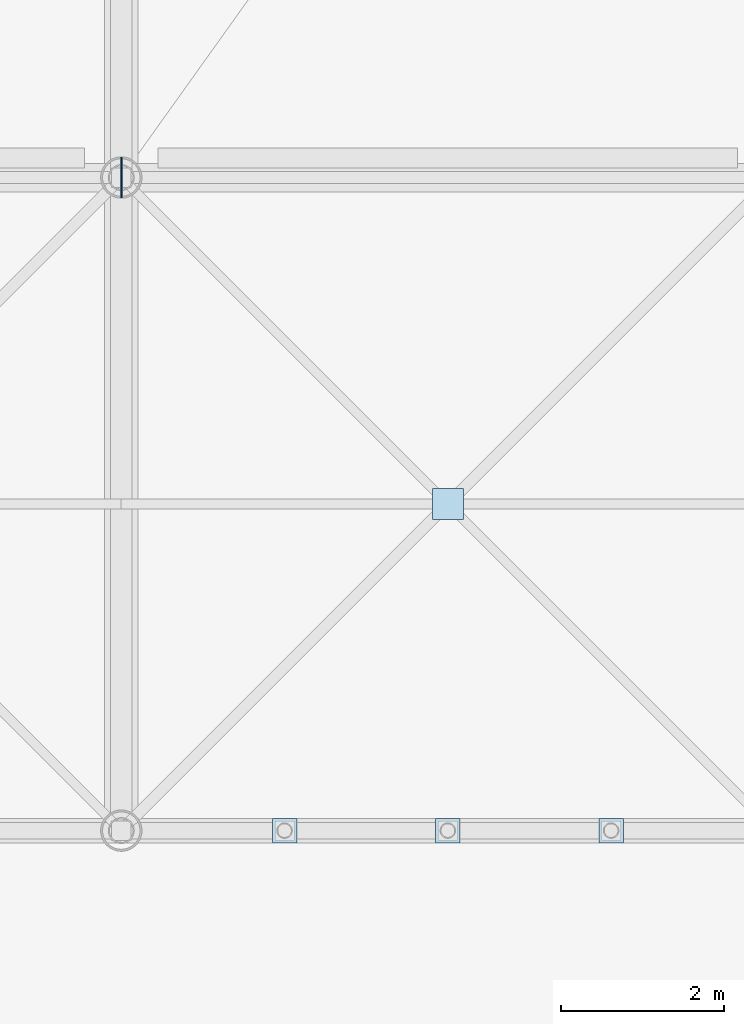
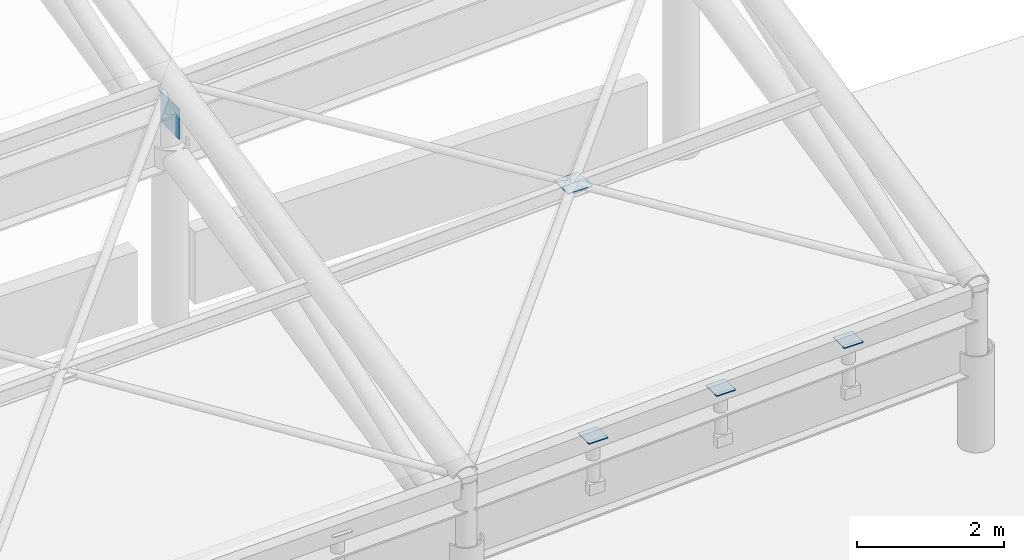
# One storey, part 47 of 78: 5 plates.
"""IFC4 building model written with IfcOpenShell, lengths in metres."""

from ifc_helpers import new_model, si_unit, direction, frame, origin, origin_2d, place, context, subcontext, project, spatial, rectangle, extrude, material, layer, layer_set, type_object, element, save


model = new_model("IFC4")

# Units and contexts
model_context = context("Model", 3, precision=1e-05, world=origin(), true_north=direction((0.0, 1.0)))
body_context = subcontext(model_context, "Body", "Model", "MODEL_VIEW")
ifc_project = project(units=[si_unit("LENGTHUNIT", "METRE"), si_unit("AREAUNIT", "SQUARE_METRE"), si_unit("VOLUMEUNIT", "CUBIC_METRE"), si_unit("PLANEANGLEUNIT", "RADIAN"), si_unit("MASSUNIT", "GRAM", prefix="KILO")], contexts=[model_context])

# Site, building, storey
site_placement = place(None, origin())
site = spatial("IfcSite", under=ifc_project, at=site_placement, CompositionType="ELEMENT")
building_placement = place(site_placement, origin())
building = spatial("IfcBuilding", under=site, at=building_placement, Name="Haebicheon Civic Stadium", CompositionType="ELEMENT")
storey_placement = place(building_placement, frame((0.0, 0.0, 18.60009765625)))
storey = spatial("IfcBuildingStorey", under=building, at=storey_placement, Name="L05", CompositionType="ELEMENT", Elevation=18.60009765625)

# Plates
ifc_material_1 = material(Name="White painted steel SM490", Category="steel")
ifc_layer_1 = layer(ifc_material_1, 0.013916015625, Name="White painted steel SM490")
ifc_layer_set_1 = layer_set([ifc_layer_1], Name="White painted steel SM490")
plate_type_1 = type_object("IfcPlateType", Name="PLT-CAP-14", PredefinedType="SHEET", material=ifc_layer_set_1)
for number, where, z_axis, x_axis, name in (
    (1, (122.0, 24.0, 2.205078125), (0.0, 0.0, 1.0), (1.0, 0.0, 0.0), "CAN-SOUTH hanger clevis cap plate 6.1"),
    (2, (124.0, 24.0, 2.2958984375), (0.0, 0.0, 1.0), (1.0, 0.0, 0.0), "CAN-SOUTH hanger clevis cap plate 6.2"),
    (3, (126.0, 24.0, 2.38818359375), (0.0, 0.0, 1.0), (1.0, 0.0, 0.0), "CAN-SOUTH hanger clevis cap plate 6.3"),
):
    element("IfcPlate", number, at=place(storey_placement, frame(where, z_axis=z_axis, x_axis=x_axis)), inside=storey, type_object=plate_type_1, material=ifc_layer_set_1, Name=name, PredefinedType="SHEET", context=body_context, shape_type="SweptSolid", body=[
        extrude(rectangle(XDim=0.300048828125, YDim=0.300048828125, at=origin_2d()), origin(), (0.0, 0.0, 1.0), 0.013916015625),
    ])
ifc_material_2 = material(Name="White painted steel SM490", Category="steel")
ifc_layer_2 = layer(ifc_material_2, 0.01806640625, Name="White painted steel SM490")
ifc_layer_set_2 = layer_set([ifc_layer_2], Name="White painted steel SM490")
plate_type_2 = type_object("IfcPlateType", Name="PLT-GUS-18", PredefinedType="USERDEFINED", material=ifc_layer_set_2)
plate_1_placement = place(storey_placement, frame((120.0, 32.0, 3.114990234375), z_axis=(0.0, 0.0, 1.0), x_axis=(0.0, 1.0, 0.0)))
element("IfcPlate", 4, at=plate_1_placement, inside=storey, type_object=plate_type_2, material=ifc_layer_set_2, Name="CAN-SOUTH heel node gusset plate KN-H06", ObjectType="GUSSET PLATE", PredefinedType="USERDEFINED", context=body_context, shape_type="SweptSolid", body=[
    extrude(rectangle(XDim=0.5, YDim=0.01806640625, at=origin_2d()), origin(), (0.0, 0.0, 1.0), 0.5),
])
ifc_material_3 = material(Name="White painted steel SM490", Category="steel")
ifc_layer_3 = layer(ifc_material_3, 0.013916015625, Name="White painted steel SM490")
ifc_layer_set_3 = layer_set([ifc_layer_3], Name="White painted steel SM490")
plate_type_3 = type_object("IfcPlateType", Name="PLT-XND-14", PredefinedType="SHEET", material=ifc_layer_set_3)
plate_2_placement = place(storey_placement, frame((124.0, 28.0, 3.2568359375), z_axis=(0.0, 0.0, 1.0), x_axis=(1.0, 0.0, 0.0)))
element("IfcPlate", 5, at=plate_2_placement, inside=storey, type_object=plate_type_3, material=ifc_layer_set_3, Name="CAN-SOUTH X-brace crossing gusset plate 6", PredefinedType="SHEET", context=body_context, shape_type="SweptSolid", body=[
    extrude(rectangle(XDim=0.3798828125, YDim=0.3798828125, at=origin_2d()), origin(), (0.0, 0.0, 1.0), 0.013916015625),
])

save(model, "model.ifc")
